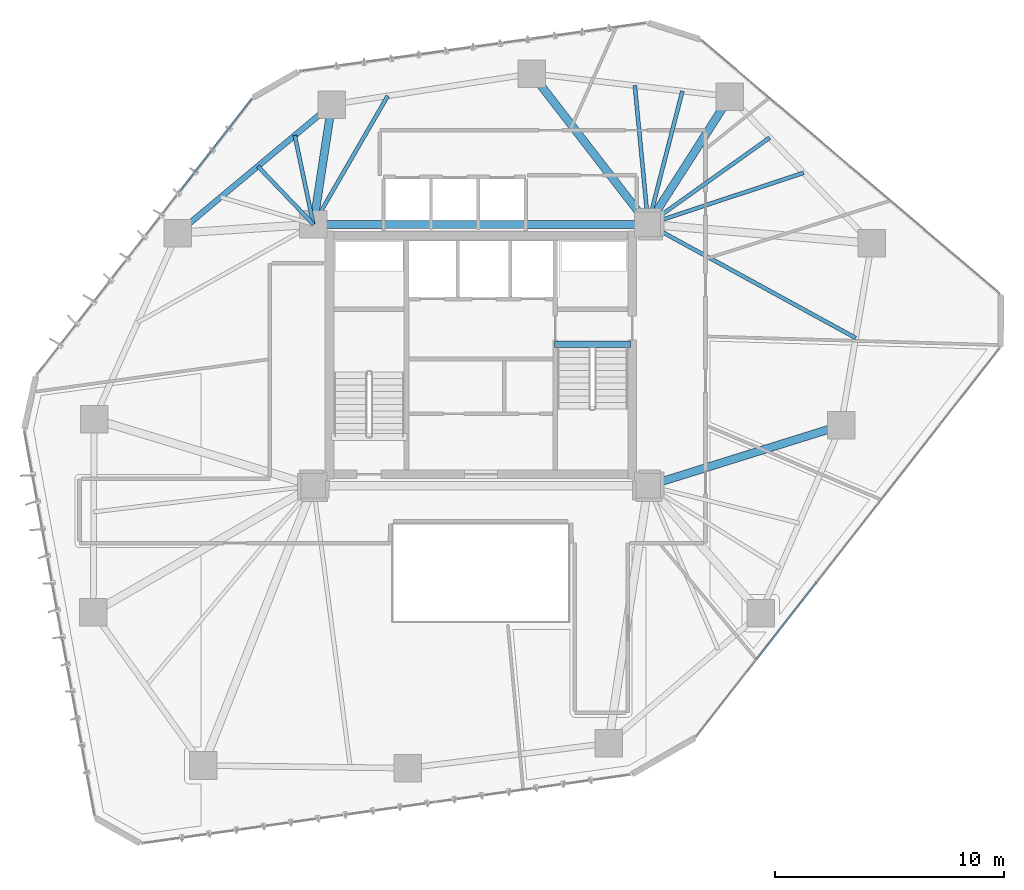
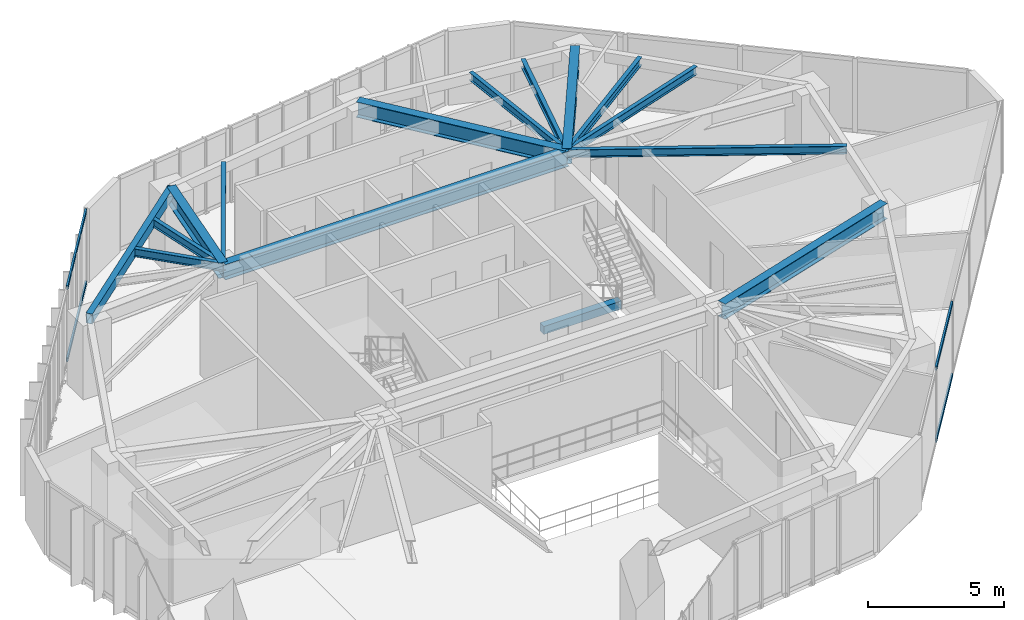
# One storey, part 11 of 24: 15 beams, 4 members, 2 elements without a shape of their own.
"""IFC4 building model written with IfcOpenShell, lengths in metres."""

from ifc_helpers import new_model, si_unit, direction, frame, origin, origin_2d, place, context, subcontext, project, spatial, rectangle, hollow_rectangle, i_section, extrude, source, transform, mapped, material, layer, layer_set, material_profile, profile_set, type_object, type_shapes, element, aggregate, save


model = new_model("IFC4")

# Units and contexts
model_context = context("Model", 3, precision=1e-05, world=origin(), true_north=direction((0.0, 1.0)))
body_context = subcontext(model_context, "Body", "Model", "MODEL_VIEW")
ifc_project = project(units=[si_unit("LENGTHUNIT", "METRE"), si_unit("AREAUNIT", "SQUARE_METRE"), si_unit("VOLUMEUNIT", "CUBIC_METRE"), si_unit("PLANEANGLEUNIT", "RADIAN"), si_unit("MASSUNIT", "GRAM", prefix="KILO")], contexts=[model_context])

# Site, building, storey
site_placement = place(None, origin())
site = spatial("IfcSite", under=ifc_project, at=site_placement, CompositionType="ELEMENT")
building_placement = place(site_placement, origin())
building = spatial("IfcBuilding", under=site, at=building_placement, Name="Talar Marvaseh", CompositionType="ELEMENT")
storey_placement = place(building_placement, frame((0.0, 0.0, 114.60009765625)))
storey = spatial("IfcBuildingStorey", under=building, at=storey_placement, Name="L29", CompositionType="ELEMENT", Elevation=114.60009765625)

# Beams
ifc_material_1 = material(Name="Concrete C40/50", Category="concrete")
ifc_material_profile_1 = material_profile(ifc_material_1, rectangle(XDim=0.300048828125, YDim=0.360107421875, at=origin_2d()), Name="RC300x360")
ifc_profile_set_1 = profile_set([ifc_material_profile_1], Name="Concrete C40/50")
beam_type_1 = type_object("IfcBeamType", Name="Concrete Stair Landing Trimmer Beam RC300x360", PredefinedType="SPANDREL", material=ifc_profile_set_1)
beam_1_placement = place(storey_placement, frame((29.219970703125, 31.669921875, -0.18017578125), z_axis=(1.0, 0.0, 0.0), x_axis=(0.0, 1.0, 0.0)))
element("IfcBeam", 1, at=beam_1_placement, inside=storey, type_object=beam_type_1, Name="L29 ST-2 Stair Nosing Trimmer Beam", PredefinedType="SPANDREL", context=body_context, shape_type="SweptSolid", body=[
    extrude(rectangle(XDim=0.300048828125, YDim=0.360107421875, at=origin_2d()), origin(), (0.0, 0.0, 1.0), 3.300048828125),
])
ifc_material_2 = material(Name="Steel S355", Category="steel")
ifc_material_profile_2 = material_profile(ifc_material_2, hollow_rectangle(XDim=0.25, YDim=0.449951171875, WallThickness=0.01611328125, at=origin_2d()), Name="RHS450x250x16")
ifc_profile_set_2 = profile_set([ifc_material_profile_2], Name="Steel S355")
beam_type_2 = type_object("IfcBeamType", Name="Zone 2 Perimeter Spandrel Beam RHS450x250x16", PredefinedType="SPANDREL", material=ifc_profile_set_2)
beam_2_placement = place(storey_placement, frame((12.780029296875, 36.51708984375, 3.0849609375), z_axis=(0.76793081465, 0.640532796905, 0.0), x_axis=(-0.640532796905, 0.76793081465, 0.0)))
element("IfcBeam", 2, at=beam_2_placement, inside=storey, type_object=beam_type_2, Name="L29 Zone 2 Perimeter Spandrel Beam RHS450x250x16", PredefinedType="SPANDREL", context=body_context, shape_type="SweptSolid", body=[
    extrude(hollow_rectangle(XDim=0.25, YDim=0.449951171875, WallThickness=0.01611328125, at=origin_2d()), origin(), (0.0, 0.0, 1.0), 8.751953125),
])
ifc_material_profile_3 = material_profile(ifc_material_2, i_section(OverallWidth=0.35498046875, OverallDepth=0.695068359375, WebThickness=0.015380859375, FlangeThickness=0.02490234375, at=origin_2d()), Name="W690x217")
ifc_profile_set_3 = profile_set([ifc_material_profile_3], Name="Steel S355")
beam_type_3 = type_object("IfcBeamType", Name="Zone 2 Radial Floor Girder W690x217", PredefinedType="BEAM", material=ifc_profile_set_3)
beam_3_placement = place(storey_placement, frame((18.699951171875, 36.89990234375, 2.96240234375), z_axis=(1.0, 0.0, 0.0), x_axis=(0.0, 1.0, 0.0)))
element("IfcBeam", 3, at=beam_3_placement, inside=storey, type_object=beam_type_3, Name="L29 Zone 2 Radial Floor Girder W690x217", PredefinedType="BEAM", context=body_context, shape_type="SweptSolid", body=[
    extrude(i_section(OverallWidth=0.35498046875, OverallDepth=0.695068359375, WebThickness=0.015380859375, FlangeThickness=0.02490234375, at=origin_2d()), origin(), (0.0, 0.0, 1.0), 14.60009765625),
])
beam_4_placement = place(storey_placement, frame((36.865966796875, 42.470947265625, 2.96240234375), z_axis=(-0.539101874952, -0.842240564461, 0.0), x_axis=(0.842240564461, -0.539101874952, 0.0)))
element("IfcBeam", 4, at=beam_4_placement, inside=storey, type_object=beam_type_3, Name="L29 Zone 2 Radial Floor Girder W690x217", PredefinedType="BEAM", context=body_context, shape_type="SweptSolid", body=[
    extrude(i_section(OverallWidth=0.35498046875, OverallDepth=0.695068359375, WebThickness=0.015380859375, FlangeThickness=0.02490234375, at=origin_2d()), origin(), (0.0, 0.0, 1.0), 6.614501953125),
])
beam_5_placement = place(storey_placement, frame((41.708984375, 28.1279296875, 2.96240234375), z_axis=(-0.954475540106, -0.298289194138, 0.0), x_axis=(0.298289194138, -0.954475540106, 0.0)))
element("IfcBeam", 5, at=beam_5_placement, inside=storey, type_object=beam_type_3, Name="L29 Zone 2 Radial Floor Girder W690x217", PredefinedType="BEAM", context=body_context, shape_type="SweptSolid", body=[
    extrude(i_section(OverallWidth=0.35498046875, OverallDepth=0.695068359375, WebThickness=0.015380859375, FlangeThickness=0.02490234375, at=origin_2d()), origin(), (0.0, 0.0, 1.0), 8.81005859375),
])
beam_6_placement = place(storey_placement, frame((19.5009765625, 42.123046875, 2.96240234375), z_axis=(-0.151588471466, -0.98844369355, 0.0), x_axis=(0.98844369355, -0.151588471466, 0.0)))
element("IfcBeam", 6, at=beam_6_placement, inside=storey, type_object=beam_type_3, Name="L29 Zone 2 Radial Floor Girder W690x217", PredefinedType="BEAM", context=body_context, shape_type="SweptSolid", body=[
    extrude(i_section(OverallWidth=0.35498046875, OverallDepth=0.695068359375, WebThickness=0.015380859375, FlangeThickness=0.02490234375, at=origin_2d()), origin(), (0.0, 0.0, 1.0), 5.2841796875),
])
beam_7_placement = place(storey_placement, frame((28.221923828125, 43.471923828125, 2.96240234375), z_axis=(0.611428258763, -0.791299870079, 0.0), x_axis=(0.791299870079, 0.611428258763, 0.0)))
element("IfcBeam", 7, at=beam_7_placement, inside=storey, type_object=beam_type_3, Name="L29 Zone 2 Radial Floor Girder W690x217", PredefinedType="BEAM", context=body_context, shape_type="SweptSolid", body=[
    extrude(i_section(OverallWidth=0.35498046875, OverallDepth=0.695068359375, WebThickness=0.015380859375, FlangeThickness=0.02490234375, at=origin_2d()), origin(), (0.0, 0.0, 1.0), 8.305419921875),
])
ifc_material_profile_4 = material_profile(ifc_material_2, i_section(OverallWidth=0.172119140625, OverallDepth=0.35791015625, WebThickness=0.0078125, FlangeThickness=0.01318359375, at=origin_2d()), Name="W360x57")
ifc_profile_set_4 = profile_set([ifc_material_profile_4], Name="Steel S355")
beam_type_4 = type_object("IfcBeamType", Name="Zone 2 Secondary Floor Joist W360x57", PredefinedType="JOIST", material=ifc_profile_set_4)
beam_8_placement = place(storey_placement, frame((38.595703125, 40.680419921875, 3.130859375), z_axis=(-0.813885558782, -0.581025212195, 0.0), x_axis=(0.581025212195, -0.813885558782, 0.0)))
element("IfcBeam", 8, at=beam_8_placement, inside=storey, type_object=beam_type_4, Name="L29 Zone 2 Secondary Floor Joist W360x57", PredefinedType="JOIST", context=body_context, shape_type="SweptSolid", body=[
    extrude(i_section(OverallWidth=0.172119140625, OverallDepth=0.35791015625, WebThickness=0.0078125, FlangeThickness=0.01318359375, at=origin_2d()), origin(), (0.0, 0.0, 1.0), 6.506591796875),
])
beam_9_placement = place(storey_placement, frame((40.07861328125, 39.1455078125, 3.130859375), z_axis=(-0.949266314022, -0.314473313754, 0.0), x_axis=(0.314473313754, -0.949266314022, 0.0)))
element("IfcBeam", 9, at=beam_9_placement, inside=storey, type_object=beam_type_4, Name="L29 Zone 2 Secondary Floor Joist W360x57", PredefinedType="JOIST", context=body_context, shape_type="SweptSolid", body=[
    extrude(i_section(OverallWidth=0.172119140625, OverallDepth=0.35791015625, WebThickness=0.0078125, FlangeThickness=0.01318359375, at=origin_2d()), origin(), (0.0, 0.0, 1.0), 7.140869140625),
])
beam_10_placement = place(storey_placement, frame((42.349853515625, 31.943115234375, 3.130859375), z_axis=(-0.877057817553, 0.480384829766, 0.0), x_axis=(-0.480384829766, -0.877057817553, 0.0)))
element("IfcBeam", 10, at=beam_10_placement, inside=storey, type_object=beam_type_4, Name="L29 Zone 2 Secondary Floor Joist W360x57", PredefinedType="JOIST", context=body_context, shape_type="SweptSolid", body=[
    extrude(i_section(OverallWidth=0.172119140625, OverallDepth=0.35791015625, WebThickness=0.0078125, FlangeThickness=0.01318359375, at=origin_2d()), origin(), (0.0, 0.0, 1.0), 10.318359375),
])
beam_11_placement = place(storey_placement, frame((16.27490234375, 39.43212890625, 3.130859375), z_axis=(0.691657292908, -0.722225857449, 0.0), x_axis=(0.722225857449, 0.691657292908, 0.0)))
element("IfcBeam", 11, at=beam_11_placement, inside=storey, type_object=beam_type_4, Name="L29 Zone 2 Secondary Floor Joist W360x57", PredefinedType="JOIST", context=body_context, shape_type="SweptSolid", body=[
    extrude(i_section(OverallWidth=0.172119140625, OverallDepth=0.35791015625, WebThickness=0.0078125, FlangeThickness=0.01318359375, at=origin_2d()), origin(), (0.0, 0.0, 1.0), 3.506103515625),
])
beam_12_placement = place(storey_placement, frame((17.887939453125, 40.777587890625, 3.130859375), z_axis=(0.204960633597, -0.978770217505, 0.0), x_axis=(0.978770217505, 0.204960633597, 0.0)))
element("IfcBeam", 12, at=beam_12_placement, inside=storey, type_object=beam_type_4, Name="L29 Zone 2 Secondary Floor Joist W360x57", PredefinedType="JOIST", context=body_context, shape_type="SweptSolid", body=[
    extrude(i_section(OverallWidth=0.172119140625, OverallDepth=0.35791015625, WebThickness=0.0078125, FlangeThickness=0.01318359375, at=origin_2d()), origin(), (0.0, 0.0, 1.0), 3.9619140625),
])
beam_13_placement = place(storey_placement, frame((21.94287109375, 42.500732421875, 3.130859375), z_axis=(-0.501074932228, -0.865403901246, 0.0), x_axis=(0.865403901246, -0.501074932228, 0.0)))
element("IfcBeam", 13, at=beam_13_placement, inside=storey, type_object=beam_type_4, Name="L29 Zone 2 Secondary Floor Joist W360x57", PredefinedType="JOIST", context=body_context, shape_type="SweptSolid", body=[
    extrude(i_section(OverallWidth=0.172119140625, OverallDepth=0.35791015625, WebThickness=0.0078125, FlangeThickness=0.01318359375, at=origin_2d()), origin(), (0.0, 0.0, 1.0), 6.471923828125),
])
beam_14_placement = place(storey_placement, frame((32.716796875, 42.951416015625, 3.130859375), z_axis=(0.095936604223, -0.995387446159, 0.0), x_axis=(0.995387446159, 0.095936604223, 0.0)))
element("IfcBeam", 14, at=beam_14_placement, inside=storey, type_object=beam_type_4, Name="L29 Zone 2 Secondary Floor Joist W360x57", PredefinedType="JOIST", context=body_context, shape_type="SweptSolid", body=[
    extrude(i_section(OverallWidth=0.172119140625, OverallDepth=0.35791015625, WebThickness=0.0078125, FlangeThickness=0.01318359375, at=origin_2d()), origin(), (0.0, 0.0, 1.0), 6.07958984375),
])
beam_15_placement = place(storey_placement, frame((34.79150390625, 42.711181640625, 3.130859375), z_axis=(-0.248591710753, -0.968608363243, 0.0), x_axis=(0.968608363243, -0.248591710753, 0.0)))
element("IfcBeam", 15, at=beam_15_placement, inside=storey, type_object=beam_type_4, Name="L29 Zone 2 Secondary Floor Joist W360x57", PredefinedType="JOIST", context=body_context, shape_type="SweptSolid", body=[
    extrude(i_section(OverallWidth=0.172119140625, OverallDepth=0.35791015625, WebThickness=0.0078125, FlangeThickness=0.01318359375, at=origin_2d()), origin(), (0.0, 0.0, 1.0), 5.99951171875),
])

# Curtain wall, members
ifc_material_3 = material(Name="Architectural Aluminium", Category="aluminium")
ifc_layer = layer(ifc_material_3, 0.199951171875)
ifc_layer_set = layer_set([ifc_layer], Name="Architectural Aluminium")
curtain_wall_type = type_object("IfcCurtainWallType", Name="Unitised Acoustic Library Curtain Wall Z2", PredefinedType="NOTDEFINED", material=ifc_layer_set)
curtain_wall_1_placement = place(storey_placement, origin())
curtain_wall_1 = element("IfcCurtainWall", 16, at=curtain_wall_1_placement, inside=storey, type_object=curtain_wall_type, Name="L29 Unitised Acoustic Library Curtain Wall Z2", PredefinedType="NOTDEFINED")
ifc_material_profile_5 = material_profile(ifc_material_3, hollow_rectangle(XDim=0.074951171875, YDim=0.179931640625, WallThickness=0.0048828125, at=origin_2d()), Name="RHS180x75x5")
ifc_profile_set_5 = profile_set([ifc_material_profile_5], Name="Architectural Aluminium")
member_type = type_object("IfcMemberType", Name="Unitised Curtain Wall Transom RHS180x75x5", PredefinedType="USERDEFINED", material=ifc_profile_set_5)
shared_shape_1 = source(origin(), body_context, "Body", "SweptSolid", [
    extrude(hollow_rectangle(XDim=0.074951171875, YDim=0.179931640625, WallThickness=0.0048828125, at=origin_2d()), origin(), (0.0, 0.0, 1.0), 5.017578125),
])
member_1_placement = place(storey_placement, frame((12.931396484375, 38.406494140625, 0.037353515625), z_axis=(0.614735286226, 0.788733496099, 0.0), x_axis=(-0.788733496099, 0.614735286226, 0.0)))
member_1 = element("IfcMember", 17, at=member_1_placement, type_object=member_type, Name="CW-Z2 transom 3.1", ObjectType="TRANSOM", PredefinedType="USERDEFINED", context=body_context, shape_type="MappedRepresentation", body=[
    mapped(shared_shape_1, transform((0.0, 0.0, 0.0), x_axis=(1.0, 0.0, 0.0), y_axis=(0.0, 1.0, 0.0), z_axis=(0.0, 0.0, 1.0), scale=1.0)),
])
member_2_placement = place(storey_placement, frame((12.931396484375, 38.406494140625, 3.2724609375), z_axis=(0.614735286226, 0.788733496099, 0.0), x_axis=(-0.788733496099, 0.614735286226, 0.0)))
member_2 = element("IfcMember", 18, at=member_2_placement, type_object=member_type, Name="CW-Z2 transom 3.2", ObjectType="TRANSOM", PredefinedType="USERDEFINED", context=body_context, shape_type="MappedRepresentation", body=[
    mapped(shared_shape_1, transform((0.0, 0.0, 0.0), x_axis=(1.0, 0.0, 0.0), y_axis=(0.0, 1.0, 0.0), z_axis=(0.0, 0.0, 1.0), scale=1.0)),
])
aggregate(curtain_wall_1, [member_1, member_2])

curtain_wall_2_placement = place(storey_placement, origin())
curtain_wall_2 = element("IfcCurtainWall", 19, at=curtain_wall_2_placement, inside=storey, type_object=curtain_wall_type, Name="L29 Unitised Acoustic Library Curtain Wall Z2", PredefinedType="NOTDEFINED")
shared_shape_2 = source(origin(), body_context, "Body", "SweptSolid", [
    extrude(hollow_rectangle(XDim=0.074951171875, YDim=0.179931640625, WallThickness=0.0048828125, at=origin_2d()), origin(), (0.0, 0.0, 1.0), 4.24853515625),
])
type_shapes(member_type, [shared_shape_1, shared_shape_2])
member_3_placement = place(storey_placement, frame((40.650390625, 21.291259765625, 0.037353515625), z_axis=(-0.61579680622, -0.787905002807, 0.0), x_axis=(0.787905002807, -0.61579680622, 0.0)))
member_3 = element("IfcMember", 20, at=member_3_placement, type_object=member_type, Name="CW-Z2 transom 4.1", ObjectType="TRANSOM", PredefinedType="USERDEFINED", context=body_context, shape_type="MappedRepresentation", body=[
    mapped(shared_shape_2, transform((0.0, 0.0, 0.0), x_axis=(1.0, 0.0, 0.0), y_axis=(0.0, 1.0, 0.0), z_axis=(0.0, 0.0, 1.0), scale=1.0)),
])
member_4_placement = place(storey_placement, frame((40.650390625, 21.291259765625, 3.2724609375), z_axis=(-0.61579680622, -0.787905002807, 0.0), x_axis=(0.787905002807, -0.61579680622, 0.0)))
member_4 = element("IfcMember", 21, at=member_4_placement, type_object=member_type, Name="CW-Z2 transom 4.2", ObjectType="TRANSOM", PredefinedType="USERDEFINED", context=body_context, shape_type="MappedRepresentation", body=[
    mapped(shared_shape_2, transform((0.0, 0.0, 0.0), x_axis=(1.0, 0.0, 0.0), y_axis=(0.0, 1.0, 0.0), z_axis=(0.0, 0.0, 1.0), scale=1.0)),
])
aggregate(curtain_wall_2, [member_3, member_4])

save(model, "model.ifc")
